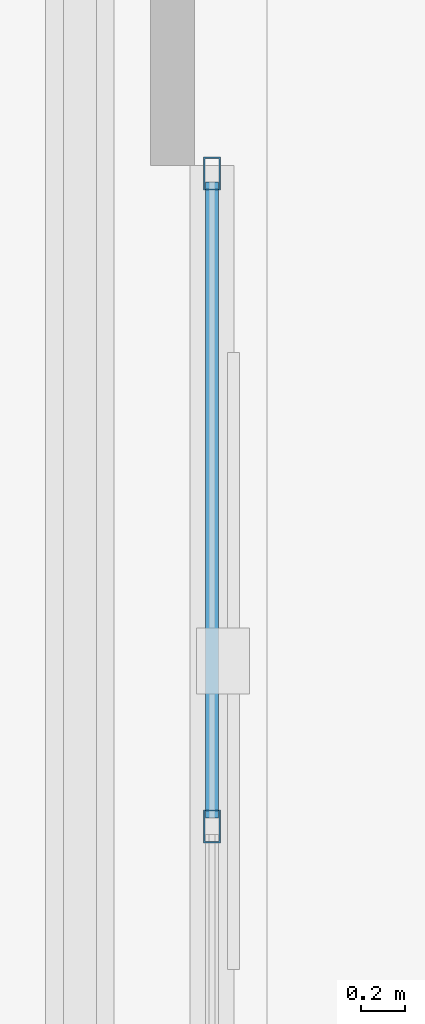
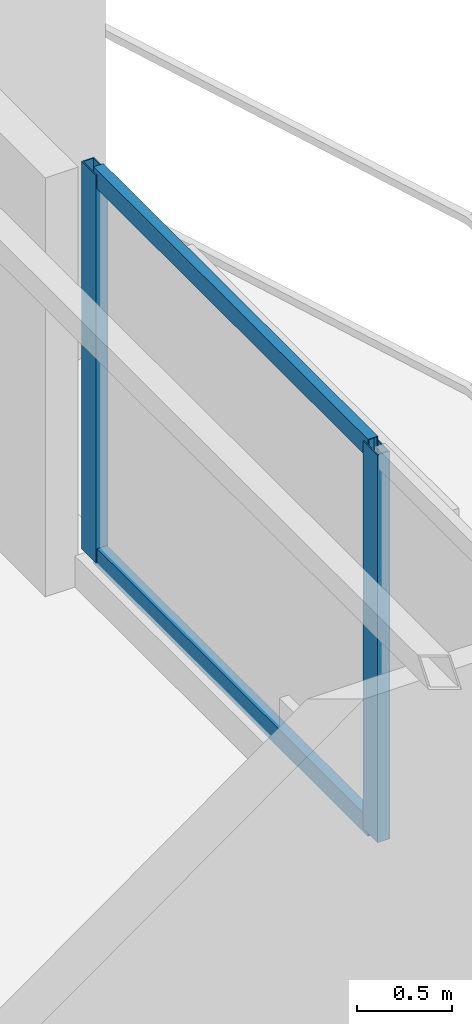
# One storey, part 13 of 21: 4 members, 1 element without a shape of its own.
"""IFC4 building model written with IfcOpenShell, lengths in metres."""

from ifc_helpers import new_model, si_unit, direction, frame, origin, origin_2d, place, context, subcontext, project, spatial, hollow_rectangle, extrude, material, layer, layer_set, material_profile, profile_set, type_object, element, aggregate, save


model = new_model("IFC4")

# Units and contexts
model_context = context("Model", 3, precision=1e-05, world=origin(), true_north=direction((0.0, 1.0)))
body_context = subcontext(model_context, "Body", "Model", "MODEL_VIEW")
ifc_project = project(units=[si_unit("LENGTHUNIT", "METRE"), si_unit("AREAUNIT", "SQUARE_METRE"), si_unit("VOLUMEUNIT", "CUBIC_METRE"), si_unit("PLANEANGLEUNIT", "RADIAN"), si_unit("MASSUNIT", "GRAM", prefix="KILO")], contexts=[model_context])

# Site, building, storey
site_placement = place(None, origin())
site = spatial("IfcSite", under=ifc_project, at=site_placement, CompositionType="ELEMENT")
building_placement = place(site_placement, origin())
building = spatial("IfcBuilding", under=site, at=building_placement, Name="Mersakhor Tower and Convention Hall", CompositionType="ELEMENT")
storey_placement = place(building_placement, frame((0.0, 0.0, 178.800048828125)))
storey = spatial("IfcBuildingStorey", under=building, at=storey_placement, Name="L49", CompositionType="ELEMENT", Elevation=178.800048828125)

# Curtain wall, members
ifc_material_1 = material(Name="Dark solar low-E aluminium curtain wall", Category="aluminium")
ifc_layer = layer(ifc_material_1, 0.169921875)
ifc_layer_set = layer_set([ifc_layer], Name="Dark solar low-E aluminium curtain wall")
curtain_wall_type = type_object("IfcCurtainWallType", Name="CW-SYS-02", PredefinedType="USERDEFINED", material=ifc_layer_set)
curtain_wall_placement = place(storey_placement, origin())
curtain_wall = element("IfcCurtainWall", 1, at=curtain_wall_placement, inside=storey, type_object=curtain_wall_type, Name="L49 Dark-Glass Curtain Wall F2-B2", ObjectType="CURTAIN WALL", PredefinedType="USERDEFINED")
ifc_material_2 = material(Name="Anodised aluminium EN AW-6063 T6", Category="aluminium")
ifc_material_profile_1 = material_profile(ifc_material_2, hollow_rectangle(XDim=0.074951171875, YDim=0.14990234375, WallThickness=0.00634765625, at=origin_2d()), Name="RHS 150x75x6.3")
ifc_profile_set_1 = profile_set([ifc_material_profile_1], Name="Anodised aluminium EN AW-6063 T6")
member_type_1 = type_object("IfcMemberType", Name="CWM-150x75", PredefinedType="MULLION", material=ifc_profile_set_1)
member_1_placement = place(storey_placement, frame((40.58837890625, 31.2119140625, 0.199951171875), z_axis=(0.0, 0.0, 1.0), x_axis=(1.0, 0.0, 0.0)))
member_1 = element("IfcMember", 2, at=member_1_placement, type_object=member_type_1, Name="CW-02 mullion 1", PredefinedType="MULLION", context=body_context, shape_type="SweptSolid", body=[
    extrude(hollow_rectangle(XDim=0.074951171875, YDim=0.14990234375, WallThickness=0.00634765625, at=origin_2d()), origin(), (0.0, 0.0, 1.0), 2.489990234375),
])
member_2_placement = place(storey_placement, frame((40.58837890625, 28.249755859375, 0.199951171875), z_axis=(0.0, 0.0, 1.0), x_axis=(1.0, 0.0, 0.0)))
member_2 = element("IfcMember", 3, at=member_2_placement, type_object=member_type_1, Name="CW-02 mullion 2", PredefinedType="MULLION", context=body_context, shape_type="SweptSolid", body=[
    extrude(hollow_rectangle(XDim=0.074951171875, YDim=0.14990234375, WallThickness=0.00634765625, at=origin_2d()), origin(), (0.0, 0.0, 1.0), 2.489990234375),
])
ifc_material_3 = material(Name="Anodised aluminium EN AW-6063 T6", Category="aluminium")
ifc_material_profile_2 = material_profile(ifc_material_3, hollow_rectangle(XDim=0.06005859375, YDim=0.1201171875, WallThickness=0.0048828125, at=origin_2d()), Name="RHS 120x60x5")
ifc_profile_set_2 = profile_set([ifc_material_profile_2], Name="Anodised aluminium EN AW-6063 T6")
member_type_2 = type_object("IfcMemberType", Name="CWT-120x60", PredefinedType="USERDEFINED", material=ifc_profile_set_2)
member_3_placement = place(storey_placement, frame((40.58837890625, 31.174560546875, 0.22998046875), z_axis=(0.0, -1.0, 0.0), x_axis=(1.0, 0.0, 0.0)))
member_3 = element("IfcMember", 4, at=member_3_placement, type_object=member_type_2, Name="CW-02 transom 1.1", ObjectType="TRANSOM", PredefinedType="USERDEFINED", context=body_context, shape_type="SweptSolid", body=[
    extrude(hollow_rectangle(XDim=0.06005859375, YDim=0.1201171875, WallThickness=0.0048828125, at=origin_2d()), origin(), (0.0, 0.0, 1.0), 2.88720703125),
])
member_4_placement = place(storey_placement, frame((40.58837890625, 31.174560546875, 2.659912109375), z_axis=(0.0, -1.0, 0.0), x_axis=(1.0, 0.0, 0.0)))
member_4 = element("IfcMember", 5, at=member_4_placement, type_object=member_type_2, Name="CW-02 transom 1.2", ObjectType="TRANSOM", PredefinedType="USERDEFINED", context=body_context, shape_type="SweptSolid", body=[
    extrude(hollow_rectangle(XDim=0.06005859375, YDim=0.1201171875, WallThickness=0.0048828125, at=origin_2d()), origin(), (0.0, 0.0, 1.0), 2.88720703125),
])
aggregate(curtain_wall, [member_1, member_2, member_3, member_4])

save(model, "model.ifc")
